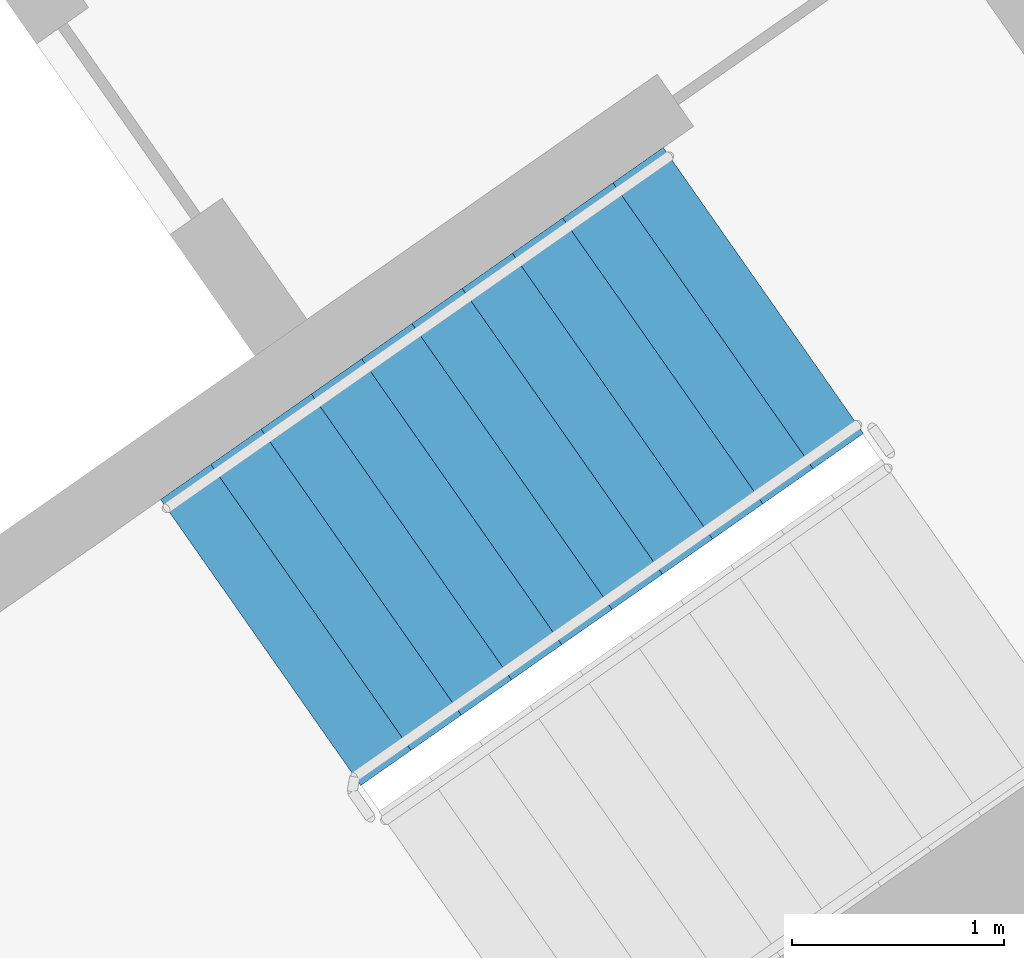
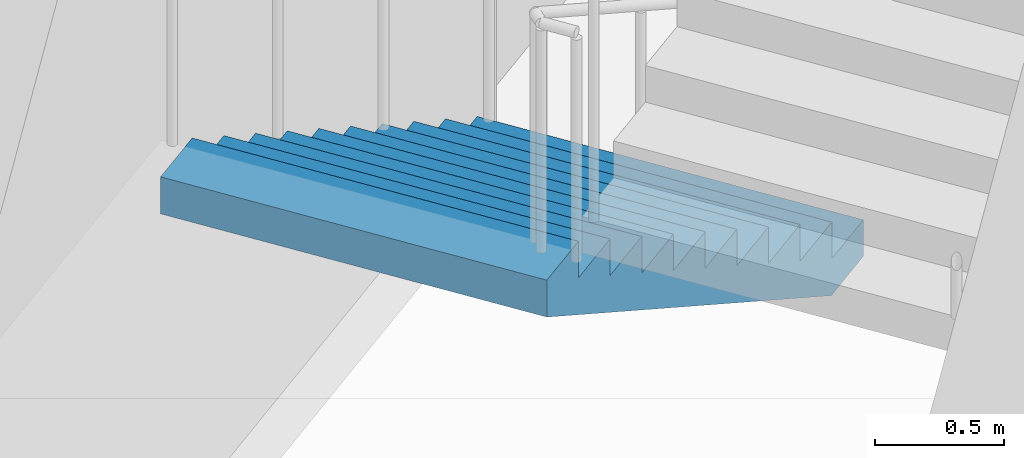
# One storey, part 17 of 31: 1 stair flight, 1 element without a shape of its own.
"""IFC4 building model written with IfcOpenShell, lengths in metres."""

from ifc_helpers import new_model, si_unit, direction, frame, origin, place, context, subcontext, project, spatial, faceted_brep, material, type_object, element, aggregate, save


model = new_model("IFC4")

# Units and contexts
model_context = context("Model", 3, precision=1e-05, world=origin(), true_north=direction((0.0, 1.0)))
body_context = subcontext(model_context, "Body", "Model", "MODEL_VIEW")
ifc_project = project(units=[si_unit("LENGTHUNIT", "METRE"), si_unit("AREAUNIT", "SQUARE_METRE"), si_unit("VOLUMEUNIT", "CUBIC_METRE"), si_unit("PLANEANGLEUNIT", "RADIAN"), si_unit("MASSUNIT", "GRAM", prefix="KILO")], contexts=[model_context])

# Site, building, storey
site_placement = place(None, origin())
site = spatial("IfcSite", under=ifc_project, at=site_placement, CompositionType="ELEMENT")
building_placement = place(site_placement, origin())
building = spatial("IfcBuilding", under=site, at=building_placement, Name="Qamariyya Broadcast Tower", CompositionType="ELEMENT")
storey_placement = place(building_placement, frame((0.0, 0.0, 59.5)))
storey = spatial("IfcBuildingStorey", under=building, at=storey_placement, Name="L11", CompositionType="ELEMENT", Elevation=59.5)

# Stair, stair flight
ifc_material = material(Name="Concrete C50/60", Category="concrete")
stair_type = type_object("IfcStairType", Name="Exit stair 22 risers of 173 mm", PredefinedType="HALF_TURN_STAIR", material=ifc_material)
stair_placement = place(storey_placement, origin())
stair = element("IfcStair", 1, at=stair_placement, inside=storey, type_object=stair_type, Name="L11 Stair E1", PredefinedType="HALF_TURN_STAIR")
stair_flight_type = type_object("IfcStairFlightType", Name="Exit stair flight 11 risers of 173 mm", PredefinedType="STRAIGHT", material=ifc_material)
stair_flight_placement = place(storey_placement, frame((46.036376953125, -55.508056640625, 0.0), z_axis=(0.0, 0.0, 1.0), x_axis=(-0.819152044289, -0.573576436351, 0.0)))
stair_flight = element("IfcStairFlight", 2, at=stair_flight_placement, type_object=stair_flight_type, Name="ST-E1 flight 1", NumberOfRisers=11, NumberOfTreads=10, PredefinedType="STRAIGHT", RiserHeight=0.172727273, TreadLength=0.29, context=body_context, shape_type="Brep", body=[
    faceted_brep([(0.0, 0.824951171875, 0.0), (0.0, 0.824951171875, 0.172607421875), (0.2900390625, 0.824951171875, 0.172607421875), (0.2900390625, 0.824951171875, 0.345458984375), (0.580078125, 0.824951171875, 0.345458984375), (0.580078125, 0.824951171875, 0.51806640625), (0.8701171875, 0.824951171875, 0.51806640625), (0.8701171875, 0.824951171875, 0.69091796875), (1.159912109375, 0.824951171875, 0.69091796875), (1.159912109375, 0.824951171875, 0.863525390625), (1.449951171875, 0.824951171875, 0.863525390625), (1.449951171875, 0.824951171875, 1.036376953125), (1.739990234375, 0.824951171875, 1.036376953125), (1.739990234375, 0.824951171875, 1.208984375), (2.030029296875, 0.824951171875, 1.208984375), (2.030029296875, 0.824951171875, 1.3818359375), (2.320068359375, 0.824951171875, 1.3818359375), (2.320068359375, 0.824951171875, 1.554443359375), (2.610107421875, 0.824951171875, 1.554443359375), (2.610107421875, 0.824951171875, 1.727294921875), (2.89990234375, 0.824951171875, 1.727294921875), (2.89990234375, 0.824951171875, 1.552734375), (0.29296875, 0.824951171875, 0.0), (0.29296875, -0.824951171875, 0.0), (2.89990234375, -0.824951171875, 1.552734375), (2.89990234375, -0.824951171875, 1.727294921875), (2.610107421875, -0.824951171875, 1.727294921875), (2.610107421875, -0.824951171875, 1.554443359375), (2.320068359375, -0.824951171875, 1.554443359375), (2.320068359375, -0.824951171875, 1.3818359375), (2.030029296875, -0.824951171875, 1.3818359375), (2.030029296875, -0.824951171875, 1.208984375), (1.739990234375, -0.824951171875, 1.208984375), (1.739990234375, -0.824951171875, 1.036376953125), (1.449951171875, -0.824951171875, 1.036376953125), (1.449951171875, -0.824951171875, 0.863525390625), (1.159912109375, -0.824951171875, 0.863525390625), (1.159912109375, -0.824951171875, 0.69091796875), (0.8701171875, -0.824951171875, 0.69091796875), (0.8701171875, -0.824951171875, 0.51806640625), (0.580078125, -0.824951171875, 0.51806640625), (0.580078125, -0.824951171875, 0.345458984375), (0.2900390625, -0.824951171875, 0.345458984375), (0.2900390625, -0.824951171875, 0.172607421875), (0.0, -0.824951171875, 0.172607421875), (0.0, -0.824951171875, 0.0), (0.0, 0.10009765625, 0.0), (0.0, 0.086669921875, 0.0), (0.0, 0.0732421875, 0.0), (0.0, 0.06005859375, 0.0), (0.0, 0.046630859375, 0.0), (0.0, 0.033447265625, 0.0), (0.0, 0.02001953125, 0.0), (0.0, 0.006591796875, 0.0), (0.0, -0.006591796875, 0.0), (0.0, -0.02001953125, 0.0), (0.0, -0.033447265625, 0.0), (0.0, -0.046630859375, 0.0), (0.0, -0.06005859375, 0.0), (0.0, -0.0732421875, 0.0), (0.0, -0.086669921875, 0.0), (0.0, -0.10009765625, 0.0), (0.0, -0.10009765625, 0.172607421875), (0.0, -0.086669921875, 0.172607421875), (0.0, -0.0732421875, 0.172607421875), (0.0, -0.06005859375, 0.172607421875), (0.0, -0.046630859375, 0.172607421875), (0.0, -0.033447265625, 0.172607421875), (0.0, -0.02001953125, 0.172607421875), (0.0, -0.006591796875, 0.172607421875), (0.0, 0.006591796875, 0.172607421875), (0.0, 0.02001953125, 0.172607421875), (0.0, 0.033447265625, 0.172607421875), (0.0, 0.046630859375, 0.172607421875), (0.0, 0.06005859375, 0.172607421875), (0.0, 0.0732421875, 0.172607421875), (0.0, 0.086669921875, 0.172607421875), (0.0, 0.10009765625, 0.172607421875), (0.2900390625, -0.10009765625, 0.172607421875), (0.2900390625, -0.086669921875, 0.172607421875), (0.2900390625, -0.0732421875, 0.172607421875), (0.2900390625, -0.06005859375, 0.172607421875), (0.2900390625, -0.046630859375, 0.172607421875), (0.2900390625, -0.033447265625, 0.172607421875), (0.2900390625, -0.02001953125, 0.172607421875), (0.2900390625, -0.006591796875, 0.172607421875), (0.2900390625, 0.006591796875, 0.172607421875), (0.2900390625, 0.02001953125, 0.172607421875), (0.2900390625, 0.033447265625, 0.172607421875), (0.2900390625, 0.046630859375, 0.172607421875), (0.2900390625, 0.06005859375, 0.172607421875), (0.2900390625, 0.0732421875, 0.172607421875), (0.2900390625, 0.086669921875, 0.172607421875), (0.2900390625, 0.10009765625, 0.172607421875), (0.2900390625, -0.10009765625, 0.345458984375), (0.2900390625, -0.086669921875, 0.345458984375), (0.2900390625, -0.0732421875, 0.345458984375), (0.2900390625, -0.06005859375, 0.345458984375), (0.2900390625, -0.046630859375, 0.345458984375), (0.2900390625, -0.033447265625, 0.345458984375), (0.2900390625, -0.02001953125, 0.345458984375), (0.2900390625, -0.006591796875, 0.345458984375), (0.2900390625, 0.006591796875, 0.345458984375), (0.2900390625, 0.02001953125, 0.345458984375), (0.2900390625, 0.033447265625, 0.345458984375), (0.2900390625, 0.046630859375, 0.345458984375), (0.2900390625, 0.06005859375, 0.345458984375), (0.2900390625, 0.0732421875, 0.345458984375), (0.2900390625, 0.086669921875, 0.345458984375), (0.2900390625, 0.10009765625, 0.345458984375), (0.580078125, -0.10009765625, 0.345458984375), (0.580078125, -0.086669921875, 0.345458984375), (0.580078125, -0.0732421875, 0.345458984375), (0.580078125, -0.06005859375, 0.345458984375), (0.580078125, -0.046630859375, 0.345458984375), (0.580078125, -0.033447265625, 0.345458984375), (0.580078125, -0.02001953125, 0.345458984375), (0.580078125, -0.006591796875, 0.345458984375), (0.580078125, 0.006591796875, 0.345458984375), (0.580078125, 0.02001953125, 0.345458984375), (0.580078125, 0.033447265625, 0.345458984375), (0.580078125, 0.046630859375, 0.345458984375), (0.580078125, 0.06005859375, 0.345458984375), (0.580078125, 0.0732421875, 0.345458984375), (0.580078125, 0.086669921875, 0.345458984375), (0.580078125, 0.10009765625, 0.345458984375), (0.580078125, -0.10009765625, 0.51806640625), (0.580078125, -0.086669921875, 0.51806640625), (0.580078125, -0.0732421875, 0.51806640625), (0.580078125, -0.06005859375, 0.51806640625), (0.580078125, -0.046630859375, 0.51806640625), (0.580078125, -0.033447265625, 0.51806640625), (0.580078125, -0.02001953125, 0.51806640625), (0.580078125, -0.006591796875, 0.51806640625), (0.580078125, 0.006591796875, 0.51806640625), (0.580078125, 0.02001953125, 0.51806640625), (0.580078125, 0.033447265625, 0.51806640625), (0.580078125, 0.046630859375, 0.51806640625), (0.580078125, 0.06005859375, 0.51806640625), (0.580078125, 0.0732421875, 0.51806640625), (0.580078125, 0.086669921875, 0.51806640625), (0.580078125, 0.10009765625, 0.51806640625), (0.8701171875, -0.10009765625, 0.51806640625), (0.8701171875, -0.086669921875, 0.51806640625), (0.8701171875, -0.0732421875, 0.51806640625), (0.8701171875, -0.06005859375, 0.51806640625), (0.8701171875, -0.046630859375, 0.51806640625), (0.8701171875, -0.033447265625, 0.51806640625), (0.8701171875, -0.02001953125, 0.51806640625), (0.8701171875, -0.006591796875, 0.51806640625), (0.8701171875, 0.006591796875, 0.51806640625), (0.8701171875, 0.02001953125, 0.51806640625), (0.8701171875, 0.033447265625, 0.51806640625), (0.8701171875, 0.046630859375, 0.51806640625), (0.8701171875, 0.06005859375, 0.51806640625), (0.8701171875, 0.0732421875, 0.51806640625), (0.8701171875, 0.086669921875, 0.51806640625), (0.8701171875, 0.10009765625, 0.51806640625), (0.8701171875, -0.10009765625, 0.69091796875), (0.8701171875, -0.086669921875, 0.69091796875), (0.8701171875, -0.0732421875, 0.69091796875), (0.8701171875, -0.06005859375, 0.69091796875), (0.8701171875, -0.046630859375, 0.69091796875), (0.8701171875, -0.033447265625, 0.69091796875), (0.8701171875, -0.02001953125, 0.69091796875), (0.8701171875, -0.006591796875, 0.69091796875), (0.8701171875, 0.006591796875, 0.69091796875), (0.8701171875, 0.02001953125, 0.69091796875), (0.8701171875, 0.033447265625, 0.69091796875), (0.8701171875, 0.046630859375, 0.69091796875), (0.8701171875, 0.06005859375, 0.69091796875), (0.8701171875, 0.0732421875, 0.69091796875), (0.8701171875, 0.086669921875, 0.69091796875), (0.8701171875, 0.10009765625, 0.69091796875), (1.159912109375, -0.10009765625, 0.69091796875), (1.159912109375, -0.086669921875, 0.69091796875), (1.159912109375, -0.0732421875, 0.69091796875), (1.159912109375, -0.06005859375, 0.69091796875), (1.159912109375, -0.046630859375, 0.69091796875), (1.159912109375, -0.033447265625, 0.69091796875), (1.159912109375, -0.02001953125, 0.69091796875), (1.159912109375, -0.006591796875, 0.69091796875), (1.159912109375, 0.006591796875, 0.69091796875), (1.159912109375, 0.02001953125, 0.69091796875), (1.159912109375, 0.033447265625, 0.69091796875), (1.159912109375, 0.046630859375, 0.69091796875), (1.159912109375, 0.06005859375, 0.69091796875), (1.159912109375, 0.0732421875, 0.69091796875), (1.159912109375, 0.086669921875, 0.69091796875), (1.159912109375, 0.10009765625, 0.69091796875), (1.159912109375, -0.10009765625, 0.863525390625), (1.159912109375, -0.086669921875, 0.863525390625), (1.159912109375, -0.0732421875, 0.863525390625), (1.159912109375, -0.06005859375, 0.863525390625), (1.159912109375, -0.046630859375, 0.863525390625), (1.159912109375, -0.033447265625, 0.863525390625), (1.159912109375, -0.02001953125, 0.863525390625), (1.159912109375, -0.006591796875, 0.863525390625), (1.159912109375, 0.006591796875, 0.863525390625), (1.159912109375, 0.02001953125, 0.863525390625), (1.159912109375, 0.033447265625, 0.863525390625), (1.159912109375, 0.046630859375, 0.863525390625), (1.159912109375, 0.06005859375, 0.863525390625), (1.159912109375, 0.0732421875, 0.863525390625), (1.159912109375, 0.086669921875, 0.863525390625), (1.159912109375, 0.10009765625, 0.863525390625), (1.449951171875, -0.10009765625, 0.863525390625), (1.449951171875, -0.086669921875, 0.863525390625), (1.449951171875, -0.0732421875, 0.863525390625), (1.449951171875, -0.06005859375, 0.863525390625), (1.449951171875, -0.046630859375, 0.863525390625), (1.449951171875, -0.033447265625, 0.863525390625), (1.449951171875, -0.02001953125, 0.863525390625), (1.449951171875, -0.006591796875, 0.863525390625), (1.449951171875, 0.006591796875, 0.863525390625), (1.449951171875, 0.02001953125, 0.863525390625), (1.449951171875, 0.033447265625, 0.863525390625), (1.449951171875, 0.046630859375, 0.863525390625), (1.449951171875, 0.06005859375, 0.863525390625), (1.449951171875, 0.0732421875, 0.863525390625), (1.449951171875, 0.086669921875, 0.863525390625), (1.449951171875, 0.10009765625, 0.863525390625), (1.449951171875, -0.10009765625, 1.036376953125), (1.449951171875, -0.086669921875, 1.036376953125), (1.449951171875, -0.0732421875, 1.036376953125), (1.449951171875, -0.06005859375, 1.036376953125), (1.449951171875, -0.046630859375, 1.036376953125), (1.449951171875, -0.033447265625, 1.036376953125), (1.449951171875, -0.02001953125, 1.036376953125), (1.449951171875, -0.006591796875, 1.036376953125), (1.449951171875, 0.006591796875, 1.036376953125), (1.449951171875, 0.02001953125, 1.036376953125), (1.449951171875, 0.033447265625, 1.036376953125), (1.449951171875, 0.046630859375, 1.036376953125), (1.449951171875, 0.06005859375, 1.036376953125), (1.449951171875, 0.0732421875, 1.036376953125), (1.449951171875, 0.086669921875, 1.036376953125), (1.449951171875, 0.10009765625, 1.036376953125), (1.739990234375, -0.10009765625, 1.036376953125), (1.739990234375, -0.086669921875, 1.036376953125), (1.739990234375, -0.0732421875, 1.036376953125), (1.739990234375, -0.06005859375, 1.036376953125), (1.739990234375, -0.046630859375, 1.036376953125), (1.739990234375, -0.033447265625, 1.036376953125), (1.739990234375, -0.02001953125, 1.036376953125), (1.739990234375, -0.006591796875, 1.036376953125), (1.739990234375, 0.006591796875, 1.036376953125), (1.739990234375, 0.02001953125, 1.036376953125), (1.739990234375, 0.033447265625, 1.036376953125), (1.739990234375, 0.046630859375, 1.036376953125), (1.739990234375, 0.06005859375, 1.036376953125), (1.739990234375, 0.0732421875, 1.036376953125), (1.739990234375, 0.086669921875, 1.036376953125), (1.739990234375, 0.10009765625, 1.036376953125), (1.739990234375, -0.10009765625, 1.208984375), (1.739990234375, -0.086669921875, 1.208984375), (1.739990234375, -0.0732421875, 1.208984375), (1.739990234375, -0.06005859375, 1.208984375), (1.739990234375, -0.046630859375, 1.208984375), (1.739990234375, -0.033447265625, 1.208984375), (1.739990234375, -0.02001953125, 1.208984375), (1.739990234375, -0.006591796875, 1.208984375), (1.739990234375, 0.006591796875, 1.208984375), (1.739990234375, 0.02001953125, 1.208984375), (1.739990234375, 0.033447265625, 1.208984375), (1.739990234375, 0.046630859375, 1.208984375), (1.739990234375, 0.06005859375, 1.208984375), (1.739990234375, 0.0732421875, 1.208984375), (1.739990234375, 0.086669921875, 1.208984375), (1.739990234375, 0.10009765625, 1.208984375), (2.030029296875, -0.10009765625, 1.208984375), (2.030029296875, -0.086669921875, 1.208984375), (2.030029296875, -0.0732421875, 1.208984375), (2.030029296875, -0.06005859375, 1.208984375), (2.030029296875, -0.046630859375, 1.208984375), (2.030029296875, -0.033447265625, 1.208984375), (2.030029296875, -0.02001953125, 1.208984375), (2.030029296875, -0.006591796875, 1.208984375), (2.030029296875, 0.006591796875, 1.208984375), (2.030029296875, 0.02001953125, 1.208984375), (2.030029296875, 0.033447265625, 1.208984375), (2.030029296875, 0.046630859375, 1.208984375), (2.030029296875, 0.06005859375, 1.208984375), (2.030029296875, 0.0732421875, 1.208984375), (2.030029296875, 0.086669921875, 1.208984375), (2.030029296875, 0.10009765625, 1.208984375), (2.030029296875, -0.10009765625, 1.3818359375), (2.030029296875, -0.086669921875, 1.3818359375), (2.030029296875, -0.0732421875, 1.3818359375), (2.030029296875, -0.06005859375, 1.3818359375), (2.030029296875, -0.046630859375, 1.3818359375), (2.030029296875, -0.033447265625, 1.3818359375), (2.030029296875, -0.02001953125, 1.3818359375), (2.030029296875, -0.006591796875, 1.3818359375), (2.030029296875, 0.006591796875, 1.3818359375), (2.030029296875, 0.02001953125, 1.3818359375), (2.030029296875, 0.033447265625, 1.3818359375), (2.030029296875, 0.046630859375, 1.3818359375), (2.030029296875, 0.06005859375, 1.3818359375), (2.030029296875, 0.0732421875, 1.3818359375), (2.030029296875, 0.086669921875, 1.3818359375), (2.030029296875, 0.10009765625, 1.3818359375), (2.320068359375, -0.10009765625, 1.3818359375), (2.320068359375, -0.086669921875, 1.3818359375), (2.320068359375, -0.0732421875, 1.3818359375), (2.320068359375, -0.06005859375, 1.3818359375), (2.320068359375, -0.046630859375, 1.3818359375), (2.320068359375, -0.033447265625, 1.3818359375), (2.320068359375, -0.02001953125, 1.3818359375), (2.320068359375, -0.006591796875, 1.3818359375), (2.320068359375, 0.006591796875, 1.3818359375), (2.320068359375, 0.02001953125, 1.3818359375), (2.320068359375, 0.033447265625, 1.3818359375), (2.320068359375, 0.046630859375, 1.3818359375), (2.320068359375, 0.06005859375, 1.3818359375), (2.320068359375, 0.0732421875, 1.3818359375), (2.320068359375, 0.086669921875, 1.3818359375), (2.320068359375, 0.10009765625, 1.3818359375), (2.320068359375, -0.10009765625, 1.554443359375), (2.320068359375, -0.086669921875, 1.554443359375), (2.320068359375, -0.0732421875, 1.554443359375), (2.320068359375, -0.06005859375, 1.554443359375), (2.320068359375, -0.046630859375, 1.554443359375), (2.320068359375, -0.033447265625, 1.554443359375), (2.320068359375, -0.02001953125, 1.554443359375), (2.320068359375, -0.006591796875, 1.554443359375), (2.320068359375, 0.006591796875, 1.554443359375), (2.320068359375, 0.02001953125, 1.554443359375), (2.320068359375, 0.033447265625, 1.554443359375), (2.320068359375, 0.046630859375, 1.554443359375), (2.320068359375, 0.06005859375, 1.554443359375), (2.320068359375, 0.0732421875, 1.554443359375), (2.320068359375, 0.086669921875, 1.554443359375), (2.320068359375, 0.10009765625, 1.554443359375), (2.610107421875, -0.10009765625, 1.554443359375), (2.610107421875, -0.086669921875, 1.554443359375), (2.610107421875, -0.0732421875, 1.554443359375), (2.610107421875, -0.06005859375, 1.554443359375), (2.610107421875, -0.046630859375, 1.554443359375), (2.610107421875, -0.033447265625, 1.554443359375), (2.610107421875, -0.02001953125, 1.554443359375), (2.610107421875, -0.006591796875, 1.554443359375), (2.610107421875, 0.006591796875, 1.554443359375), (2.610107421875, 0.02001953125, 1.554443359375), (2.610107421875, 0.033447265625, 1.554443359375), (2.610107421875, 0.046630859375, 1.554443359375), (2.610107421875, 0.06005859375, 1.554443359375), (2.610107421875, 0.0732421875, 1.554443359375), (2.610107421875, 0.086669921875, 1.554443359375), (2.610107421875, 0.10009765625, 1.554443359375), (2.610107421875, -0.10009765625, 1.727294921875), (2.610107421875, -0.086669921875, 1.727294921875), (2.610107421875, -0.0732421875, 1.727294921875), (2.610107421875, -0.06005859375, 1.727294921875), (2.610107421875, -0.046630859375, 1.727294921875), (2.610107421875, -0.033447265625, 1.727294921875), (2.610107421875, -0.02001953125, 1.727294921875), (2.610107421875, -0.006591796875, 1.727294921875), (2.610107421875, 0.006591796875, 1.727294921875), (2.610107421875, 0.02001953125, 1.727294921875), (2.610107421875, 0.033447265625, 1.727294921875), (2.610107421875, 0.046630859375, 1.727294921875), (2.610107421875, 0.06005859375, 1.727294921875), (2.610107421875, 0.0732421875, 1.727294921875), (2.610107421875, 0.086669921875, 1.727294921875), (2.610107421875, 0.10009765625, 1.727294921875), (2.89990234375, -0.10009765625, 1.727294921875), (2.89990234375, -0.086669921875, 1.727294921875), (2.89990234375, -0.0732421875, 1.727294921875), (2.89990234375, -0.06005859375, 1.727294921875), (2.89990234375, -0.046630859375, 1.727294921875), (2.89990234375, -0.033447265625, 1.727294921875), (2.89990234375, -0.02001953125, 1.727294921875), (2.89990234375, -0.006591796875, 1.727294921875), (2.89990234375, 0.006591796875, 1.727294921875), (2.89990234375, 0.02001953125, 1.727294921875), (2.89990234375, 0.033447265625, 1.727294921875), (2.89990234375, 0.046630859375, 1.727294921875), (2.89990234375, 0.06005859375, 1.727294921875), (2.89990234375, 0.0732421875, 1.727294921875), (2.89990234375, 0.086669921875, 1.727294921875), (2.89990234375, 0.10009765625, 1.727294921875), (2.89990234375, -0.10009765625, 1.552734375), (2.89990234375, -0.086669921875, 1.552734375), (2.89990234375, -0.0732421875, 1.552734375), (2.89990234375, -0.06005859375, 1.552734375), (2.89990234375, -0.046630859375, 1.552734375), (2.89990234375, -0.033447265625, 1.552734375), (2.89990234375, -0.02001953125, 1.552734375), (2.89990234375, -0.006591796875, 1.552734375), (2.89990234375, 0.006591796875, 1.552734375), (2.89990234375, 0.02001953125, 1.552734375), (2.89990234375, 0.033447265625, 1.552734375), (2.89990234375, 0.046630859375, 1.552734375), (2.89990234375, 0.06005859375, 1.552734375), (2.89990234375, 0.0732421875, 1.552734375), (2.89990234375, 0.086669921875, 1.552734375), (2.89990234375, 0.10009765625, 1.552734375), (0.29296875, -0.10009765625, 0.0), (0.29296875, -0.086669921875, 0.0), (0.29296875, -0.0732421875, 0.0), (0.29296875, -0.06005859375, 0.0), (0.29296875, -0.046630859375, 0.0), (0.29296875, -0.033447265625, 0.0), (0.29296875, -0.02001953125, 0.0), (0.29296875, -0.006591796875, 0.0), (0.29296875, 0.006591796875, 0.0), (0.29296875, 0.02001953125, 0.0), (0.29296875, 0.033447265625, 0.0), (0.29296875, 0.046630859375, 0.0), (0.29296875, 0.06005859375, 0.0), (0.29296875, 0.0732421875, 0.0), (0.29296875, 0.086669921875, 0.0), (0.29296875, 0.10009765625, 0.0)], [[[0, 1, 2, 3, 4, 5, 6, 7, 8, 9, 10, 11, 12, 13, 14, 15, 16, 17, 18, 19, 20, 21, 22]], [[23, 24, 25, 26, 27, 28, 29, 30, 31, 32, 33, 34, 35, 36, 37, 38, 39, 40, 41, 42, 43, 44, 45]], [[0, 46, 47, 48, 49, 50, 51, 52, 53, 54, 55, 56, 57, 58, 59, 60, 61, 45, 44, 62, 63, 64, 65, 66, 67, 68, 69, 70, 71, 72, 73, 74, 75, 76, 77, 1]], [[1, 77, 76, 75, 74, 73, 72, 71, 70, 69, 68, 67, 66, 65, 64, 63, 62, 44, 43, 78, 79, 80, 81, 82, 83, 84, 85, 86, 87, 88, 89, 90, 91, 92, 93, 2]], [[2, 93, 92, 91, 90, 89, 88, 87, 86, 85, 84, 83, 82, 81, 80, 79, 78, 43, 42, 94, 95, 96, 97, 98, 99, 100, 101, 102, 103, 104, 105, 106, 107, 108, 109, 3]], [[3, 109, 108, 107, 106, 105, 104, 103, 102, 101, 100, 99, 98, 97, 96, 95, 94, 42, 41, 110, 111, 112, 113, 114, 115, 116, 117, 118, 119, 120, 121, 122, 123, 124, 125, 4]], [[4, 125, 124, 123, 122, 121, 120, 119, 118, 117, 116, 115, 114, 113, 112, 111, 110, 41, 40, 126, 127, 128, 129, 130, 131, 132, 133, 134, 135, 136, 137, 138, 139, 140, 141, 5]], [[5, 141, 140, 139, 138, 137, 136, 135, 134, 133, 132, 131, 130, 129, 128, 127, 126, 40, 39, 142, 143, 144, 145, 146, 147, 148, 149, 150, 151, 152, 153, 154, 155, 156, 157, 6]], [[6, 157, 156, 155, 154, 153, 152, 151, 150, 149, 148, 147, 146, 145, 144, 143, 142, 39, 38, 158, 159, 160, 161, 162, 163, 164, 165, 166, 167, 168, 169, 170, 171, 172, 173, 7]], [[7, 173, 172, 171, 170, 169, 168, 167, 166, 165, 164, 163, 162, 161, 160, 159, 158, 38, 37, 174, 175, 176, 177, 178, 179, 180, 181, 182, 183, 184, 185, 186, 187, 188, 189, 8]], [[8, 189, 188, 187, 186, 185, 184, 183, 182, 181, 180, 179, 178, 177, 176, 175, 174, 37, 36, 190, 191, 192, 193, 194, 195, 196, 197, 198, 199, 200, 201, 202, 203, 204, 205, 9]], [[9, 205, 204, 203, 202, 201, 200, 199, 198, 197, 196, 195, 194, 193, 192, 191, 190, 36, 35, 206, 207, 208, 209, 210, 211, 212, 213, 214, 215, 216, 217, 218, 219, 220, 221, 10]], [[10, 221, 220, 219, 218, 217, 216, 215, 214, 213, 212, 211, 210, 209, 208, 207, 206, 35, 34, 222, 223, 224, 225, 226, 227, 228, 229, 230, 231, 232, 233, 234, 235, 236, 237, 11]], [[11, 237, 236, 235, 234, 233, 232, 231, 230, 229, 228, 227, 226, 225, 224, 223, 222, 34, 33, 238, 239, 240, 241, 242, 243, 244, 245, 246, 247, 248, 249, 250, 251, 252, 253, 12]], [[12, 253, 252, 251, 250, 249, 248, 247, 246, 245, 244, 243, 242, 241, 240, 239, 238, 33, 32, 254, 255, 256, 257, 258, 259, 260, 261, 262, 263, 264, 265, 266, 267, 268, 269, 13]], [[13, 269, 268, 267, 266, 265, 264, 263, 262, 261, 260, 259, 258, 257, 256, 255, 254, 32, 31, 270, 271, 272, 273, 274, 275, 276, 277, 278, 279, 280, 281, 282, 283, 284, 285, 14]], [[14, 285, 284, 283, 282, 281, 280, 279, 278, 277, 276, 275, 274, 273, 272, 271, 270, 31, 30, 286, 287, 288, 289, 290, 291, 292, 293, 294, 295, 296, 297, 298, 299, 300, 301, 15]], [[15, 301, 300, 299, 298, 297, 296, 295, 294, 293, 292, 291, 290, 289, 288, 287, 286, 30, 29, 302, 303, 304, 305, 306, 307, 308, 309, 310, 311, 312, 313, 314, 315, 316, 317, 16]], [[16, 317, 316, 315, 314, 313, 312, 311, 310, 309, 308, 307, 306, 305, 304, 303, 302, 29, 28, 318, 319, 320, 321, 322, 323, 324, 325, 326, 327, 328, 329, 330, 331, 332, 333, 17]], [[17, 333, 332, 331, 330, 329, 328, 327, 326, 325, 324, 323, 322, 321, 320, 319, 318, 28, 27, 334, 335, 336, 337, 338, 339, 340, 341, 342, 343, 344, 345, 346, 347, 348, 349, 18]], [[18, 349, 348, 347, 346, 345, 344, 343, 342, 341, 340, 339, 338, 337, 336, 335, 334, 27, 26, 350, 351, 352, 353, 354, 355, 356, 357, 358, 359, 360, 361, 362, 363, 364, 365, 19]], [[19, 365, 364, 363, 362, 361, 360, 359, 358, 357, 356, 355, 354, 353, 352, 351, 350, 26, 25, 366, 367, 368, 369, 370, 371, 372, 373, 374, 375, 376, 377, 378, 379, 380, 381, 20]], [[20, 381, 380, 379, 378, 377, 376, 375, 374, 373, 372, 371, 370, 369, 368, 367, 366, 25, 24, 382, 383, 384, 385, 386, 387, 388, 389, 390, 391, 392, 393, 394, 395, 396, 397, 21]], [[21, 397, 396, 395, 394, 393, 392, 391, 390, 389, 388, 387, 386, 385, 384, 383, 382, 24, 23, 398, 399, 400, 401, 402, 403, 404, 405, 406, 407, 408, 409, 410, 411, 412, 413, 22]], [[22, 413, 412, 411, 410, 409, 408, 407, 406, 405, 404, 403, 402, 401, 400, 399, 398, 23, 45, 61, 60, 59, 58, 57, 56, 55, 54, 53, 52, 51, 50, 49, 48, 47, 46, 0]]]),
])
aggregate(stair, [stair_flight])

save(model, "model.ifc")
